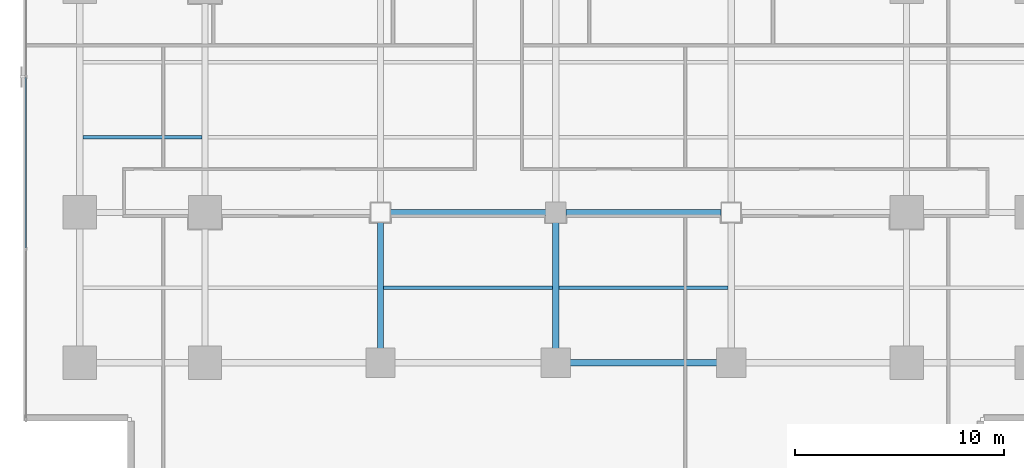
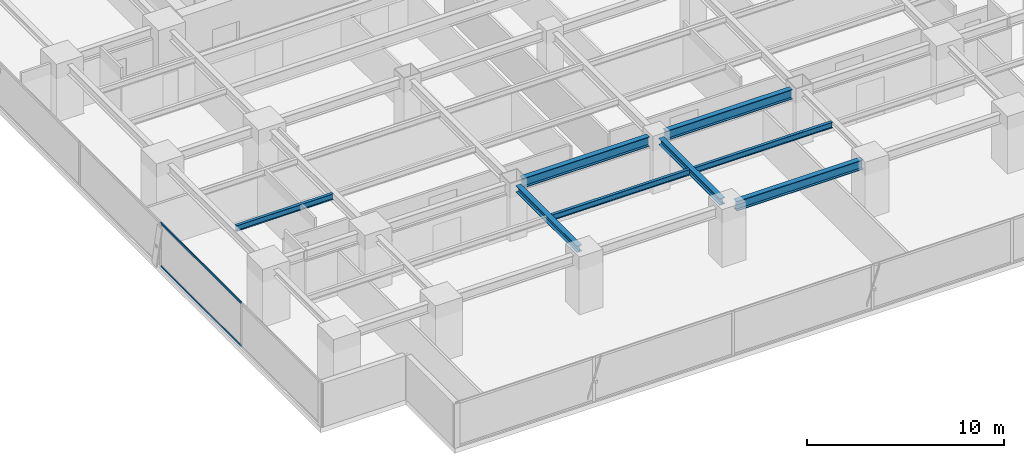
# One storey, part 7 of 36: 8 beams, 2 members, 1 element without a shape of its own.
"""IFC4 building model written with IfcOpenShell, lengths in metres."""

from ifc_helpers import new_model, si_unit, direction, frame, origin, origin_2d, place, context, subcontext, project, spatial, hollow_rectangle, i_section, extrude, source, transform, mapped, material, layer, layer_set, material_profile, profile_set, type_object, element, aggregate, save


model = new_model("IFC4")

# Units and contexts
model_context = context("Model", 3, precision=1e-05, world=origin(), true_north=direction((0.0, 1.0)))
body_context = subcontext(model_context, "Body", "Model", "MODEL_VIEW")
ifc_project = project(units=[si_unit("LENGTHUNIT", "METRE"), si_unit("AREAUNIT", "SQUARE_METRE"), si_unit("VOLUMEUNIT", "CUBIC_METRE"), si_unit("PLANEANGLEUNIT", "RADIAN"), si_unit("MASSUNIT", "GRAM", prefix="KILO")], contexts=[model_context])

# Site, building, storey
site_placement = place(None, origin())
site = spatial("IfcSite", under=ifc_project, at=site_placement, CompositionType="ELEMENT")
building_placement = place(site_placement, origin())
building = spatial("IfcBuilding", under=site, at=building_placement, Name="Sumidabori Civic Tower", CompositionType="ELEMENT")
storey_placement = place(building_placement, frame((0.0, 0.0, 77.60009765625)))
storey = spatial("IfcBuildingStorey", under=building, at=storey_placement, Name="L19", CompositionType="ELEMENT", Elevation=77.60009765625)

# Beams
ifc_material_1 = material(Name="Steel SN490", Category="steel")
ifc_material_profile_1 = material_profile(ifc_material_1, i_section(OverallWidth=0.300048828125, OverallDepth=0.60009765625, WebThickness=0.015380859375, FlangeThickness=0.030029296875, at=origin_2d()), Name="HE 600 B")
ifc_profile_set_1 = profile_set([ifc_material_profile_1], Name="Steel SN490")
beam_type_1 = type_object("IfcBeamType", Name="BM-GIRD-600", PredefinedType="BEAM", material=ifc_profile_set_1)
shared_shape_1 = source(origin(), body_context, "Body", "SweptSolid", [
    extrude(i_section(OverallWidth=0.300048828125, OverallDepth=0.60009765625, WebThickness=0.015380859375, FlangeThickness=0.030029296875, at=origin_2d()), origin(), (0.0, 0.0, 1.0), 7.43994140625),
])
for number, where, z_axis, x_axis, name in (
    (1, (0.47998046875, -18.0, 3.059814453125), (1.0, 0.0, 0.0), (0.0, 1.0, 0.0), "Primary Girder L19 GX-04"),
    (2, (-7.919921875, -10.800048828125, 3.059814453125), (1.0, 0.0, 0.0), (0.0, 1.0, 0.0), "Primary Girder L19 GX-09"),
    (3, (0.47998046875, -10.800048828125, 3.059814453125), (1.0, 0.0, 0.0), (0.0, 1.0, 0.0), "Primary Girder L19 GX-10"),
):
    element("IfcBeam", number, at=place(storey_placement, frame(where, z_axis=z_axis, x_axis=x_axis)), inside=storey, type_object=beam_type_1, Name=name, PredefinedType="BEAM", context=body_context, shape_type="MappedRepresentation", body=[
        mapped(shared_shape_1, transform((0.0, 0.0, 0.0), x_axis=(1.0, 0.0, 0.0), y_axis=(0.0, 1.0, 0.0), z_axis=(0.0, 0.0, 1.0), scale=1.0)),
    ])
ifc_material_profile_2 = material_profile(ifc_material_1, i_section(OverallWidth=0.300048828125, OverallDepth=0.39990234375, WebThickness=0.013427734375, FlangeThickness=0.02392578125, at=origin_2d()), Name="HE 400 B")
ifc_profile_set_2 = profile_set([ifc_material_profile_2], Name="Steel SN490")
beam_type_2 = type_object("IfcBeamType", Name="BM-GIRD-400", PredefinedType="BEAM", material=ifc_profile_set_2)
shared_shape_2 = source(origin(), body_context, "Body", "SweptSolid", [
    extrude(i_section(OverallWidth=0.300048828125, OverallDepth=0.39990234375, WebThickness=0.013427734375, FlangeThickness=0.02392578125, at=origin_2d()), origin(), (0.0, 0.0, 1.0), 6.239990234375),
])
for number, where, z_axis, x_axis, name in (
    (4, (-8.39990234375, -17.52001953125, 3.159912109375), (0.0, 1.0, 0.0), (-1.0, 0.0, 0.0), "Primary Girder L19 GY-29"),
    (5, (0.0, -17.52001953125, 3.159912109375), (0.0, 1.0, 0.0), (-1.0, 0.0, 0.0), "Primary Girder L19 GY-31"),
):
    element("IfcBeam", number, at=place(storey_placement, frame(where, z_axis=z_axis, x_axis=x_axis)), inside=storey, type_object=beam_type_2, Name=name, PredefinedType="BEAM", context=body_context, shape_type="MappedRepresentation", body=[
        mapped(shared_shape_2, transform((0.0, 0.0, 0.0), x_axis=(1.0, 0.0, 0.0), y_axis=(0.0, 1.0, 0.0), z_axis=(0.0, 0.0, 1.0), scale=1.0)),
    ])
ifc_material_profile_3 = material_profile(ifc_material_1, i_section(OverallWidth=0.169921875, OverallDepth=0.360107421875, WebThickness=0.008056640625, FlangeThickness=0.0126953125, at=origin_2d()), Name="IPE 360")
ifc_profile_set_3 = profile_set([ifc_material_profile_3], Name="Steel SN490")
beam_type_3 = type_object("IfcBeamType", Name="BM-JST-360", PredefinedType="JOIST", material=ifc_profile_set_3)
shared_shape_3 = source(origin(), body_context, "Body", "SweptSolid", [
    extrude(i_section(OverallWidth=0.169921875, OverallDepth=0.360107421875, WebThickness=0.008056640625, FlangeThickness=0.0126953125, at=origin_2d()), origin(), (0.0, 0.0, 1.0), 5.699951171875),
])
beam_placement = place(storey_placement, frame((-22.64990234375, -7.199951171875, 3.179931640625), z_axis=(1.0, 0.0, 0.0), x_axis=(0.0, 1.0, 0.0)))
element("IfcBeam", 6, at=beam_placement, inside=storey, type_object=beam_type_3, Name="Outer Bay Floor Joist L19 JSTO-43", PredefinedType="JOIST", context=body_context, shape_type="MappedRepresentation", body=[
    mapped(shared_shape_3, transform((0.0, 0.0, 0.0), x_axis=(1.0, 0.0, 0.0), y_axis=(0.0, 1.0, 0.0), z_axis=(0.0, 0.0, 1.0), scale=1.0)),
])
shared_shape_4 = source(origin(), body_context, "Body", "SweptSolid", [
    extrude(i_section(OverallWidth=0.169921875, OverallDepth=0.360107421875, WebThickness=0.008056640625, FlangeThickness=0.0126953125, at=origin_2d()), origin(), (0.0, 0.0, 1.0), 8.10009765625),
])
for number, where, z_axis, x_axis, name in (
    (7, (-8.25, -14.39990234375, 3.179931640625), (1.0, 0.0, 0.0), (0.0, 1.0, 0.0), "South Bay Floor Joist L19 JSTS-56"),
    (8, (0.14990234375, -14.39990234375, 3.179931640625), (1.0, 0.0, 0.0), (0.0, 1.0, 0.0), "South Bay Floor Joist L19 JSTS-57"),
):
    element("IfcBeam", number, at=place(storey_placement, frame(where, z_axis=z_axis, x_axis=x_axis)), inside=storey, type_object=beam_type_3, Name=name, PredefinedType="JOIST", context=body_context, shape_type="MappedRepresentation", body=[
        mapped(shared_shape_4, transform((0.0, 0.0, 0.0), x_axis=(1.0, 0.0, 0.0), y_axis=(0.0, 1.0, 0.0), z_axis=(0.0, 0.0, 1.0), scale=1.0)),
    ])

# Curtain wall, members
ifc_material_2 = material(Name="Anodised Bronze Aluminium AW-6063-T6", Category="aluminium")
ifc_layer = layer(ifc_material_2, 0.179931640625, Name="Anodised Bronze Aluminium AW-6063-T6")
ifc_layer_set = layer_set([ifc_layer], Name="Anodised Bronze Aluminium AW-6063-T6")
curtain_wall_type = type_object("IfcCurtainWallType", Name="CW-SYS-3", PredefinedType="NOTDEFINED", material=ifc_layer_set)
curtain_wall_placement = place(storey_placement, origin())
curtain_wall = element("IfcCurtainWall", 9, at=curtain_wall_placement, inside=storey, type_object=curtain_wall_type, Name="Curtain Wall CW:L19:R10", PredefinedType="NOTDEFINED")
ifc_material_profile_4 = material_profile(ifc_material_2, hollow_rectangle(XDim=0.06005859375, YDim=0.1298828125, WallThickness=0.0048828125, at=origin_2d()), Name="ALU TRANSOM 130x60")
ifc_profile_set_4 = profile_set([ifc_material_profile_4], Name="Anodised Bronze Aluminium AW-6063-T6")
member_type = type_object("IfcMemberType", Name="CW-TRN-130", PredefinedType="USERDEFINED", material=ifc_profile_set_4)
shared_shape_5 = source(origin(), body_context, "Body", "SweptSolid", [
    extrude(hollow_rectangle(XDim=0.06005859375, YDim=0.1298828125, WallThickness=0.0048828125, at=origin_2d()), origin(), (0.0, 0.0, 1.0), 8.1630859375),
])
member_1_placement = place(storey_placement, frame((-25.3798828125, -4.346435546875, 0.02978515625), z_axis=(0.0, -1.0, 0.0), x_axis=(1.0, 0.0, 0.0)))
member_1 = element("IfcMember", 10, at=member_1_placement, type_object=member_type, Name="CW-3 transom 4.1", ObjectType="TRANSOM", PredefinedType="USERDEFINED", context=body_context, shape_type="MappedRepresentation", body=[
    mapped(shared_shape_5, transform((0.0, 0.0, 0.0), x_axis=(1.0, 0.0, 0.0), y_axis=(0.0, 1.0, 0.0), z_axis=(0.0, 0.0, 1.0), scale=1.0)),
])
member_2_placement = place(storey_placement, frame((-25.3798828125, -4.346435546875, 2.7099609375), z_axis=(0.0, -1.0, 0.0), x_axis=(1.0, 0.0, 0.0)))
member_2 = element("IfcMember", 11, at=member_2_placement, type_object=member_type, Name="CW-3 transom 4.2", ObjectType="TRANSOM", PredefinedType="USERDEFINED", context=body_context, shape_type="MappedRepresentation", body=[
    mapped(shared_shape_5, transform((0.0, 0.0, 0.0), x_axis=(1.0, 0.0, 0.0), y_axis=(0.0, 1.0, 0.0), z_axis=(0.0, 0.0, 1.0), scale=1.0)),
])
aggregate(curtain_wall, [member_1, member_2])

save(model, "model.ifc")
